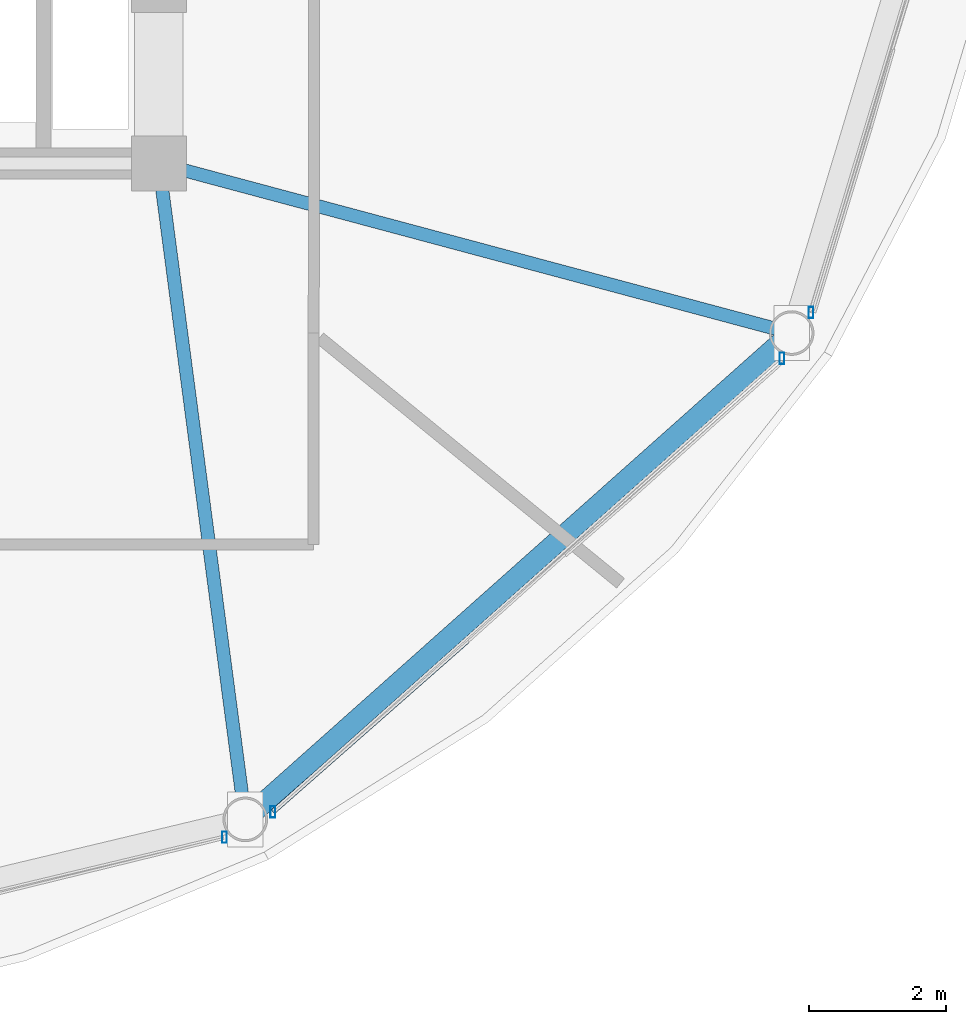
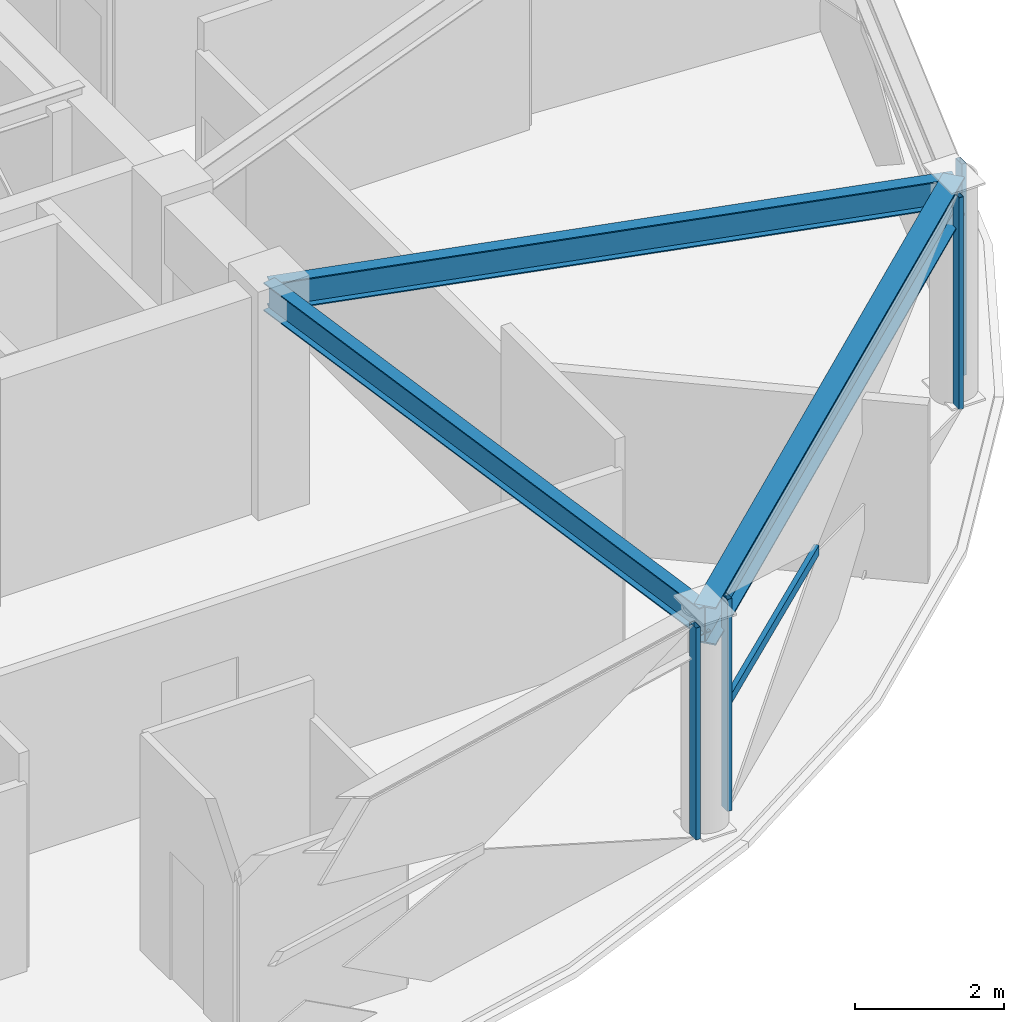
# One storey, part 11 of 28: 5 members, 3 beams, 3 elements without a shape of their own.
"""IFC4 building model written with IfcOpenShell, lengths in metres."""

from ifc_helpers import new_model, si_unit, direction, frame, origin, origin_2d, place, context, subcontext, project, spatial, hollow_rectangle, i_section, extrude, material, layer, layer_set, material_profile, profile_set, type_object, element, aggregate, save


model = new_model("IFC4")

# Units and contexts
model_context = context("Model", 3, precision=1e-05, world=origin(), true_north=direction((0.0, 1.0)))
body_context = subcontext(model_context, "Body", "Model", "MODEL_VIEW")
ifc_project = project(units=[si_unit("LENGTHUNIT", "METRE"), si_unit("AREAUNIT", "SQUARE_METRE"), si_unit("VOLUMEUNIT", "CUBIC_METRE"), si_unit("PLANEANGLEUNIT", "RADIAN"), si_unit("MASSUNIT", "GRAM", prefix="KILO")], contexts=[model_context])

# Site, building, storey
site_placement = place(None, origin())
site = spatial("IfcSite", under=ifc_project, at=site_placement, CompositionType="ELEMENT")
building_placement = place(site_placement, origin())
building = spatial("IfcBuilding", under=site, at=building_placement, Name="Vantalir Tower", CompositionType="ELEMENT")
storey_placement = place(building_placement, frame((0.0, 0.0, 246.14990234375)))
storey = spatial("IfcBuildingStorey", under=building, at=storey_placement, Name="L62", CompositionType="ELEMENT", Elevation=246.14990234375)

# Beams
ifc_material_1 = material(Name="Steel S355", Category="steel")
ifc_material_profile_1 = material_profile(ifc_material_1, i_section(OverallWidth=0.19189453125, OverallDepth=0.462890625, WebThickness=0.010498046875, FlangeThickness=0.017578125, at=origin_2d()), Name="Steel S355")
ifc_profile_set_1 = profile_set([ifc_material_profile_1], Name="Steel S355")
beam_type_1 = type_object("IfcBeamType", Name="BM-RB-457x191", PredefinedType="BEAM", material=ifc_profile_set_1)
beam_1_placement = place(storey_placement, frame((42.35888671875, 8.257080078125, 3.338134765625), z_axis=(-0.130774684438, 0.991412115071, 0.0), x_axis=(-0.991412115071, -0.130774684438, 0.0)))
element("IfcBeam", 1, at=beam_1_placement, inside=storey, type_object=beam_type_1, Name="L62 Radial Floor Beam 11", PredefinedType="BEAM", context=body_context, shape_type="SweptSolid", body=[
    extrude(i_section(OverallWidth=0.19189453125, OverallDepth=0.462890625, WebThickness=0.010498046875, FlangeThickness=0.017578125, at=origin_2d()), origin(), (0.0, 0.0, 1.0), 9.625732421875),
])
beam_2_placement = place(storey_placement, frame((50.30810546875, 15.3330078125, 3.338134765625), z_axis=(-0.965932047749, 0.25879582518, 0.0), x_axis=(-0.25879582518, -0.965932047749, 0.0)))
element("IfcBeam", 2, at=beam_2_placement, inside=storey, type_object=beam_type_1, Name="L62 Radial Floor Beam 12", PredefinedType="BEAM", context=body_context, shape_type="SweptSolid", body=[
    extrude(i_section(OverallWidth=0.19189453125, OverallDepth=0.462890625, WebThickness=0.010498046875, FlangeThickness=0.017578125, at=origin_2d()), origin(), (0.0, 0.0, 1.0), 9.53271484375),
])
ifc_material_2 = material(Name="Steel S460", Category="steel")
ifc_material_profile_2 = material_profile(ifc_material_2, i_section(OverallWidth=0.306884765625, OverallDepth=0.6201171875, WebThickness=0.01416015625, FlangeThickness=0.023681640625, at=origin_2d()), Name="Steel S460")
ifc_profile_set_2 = profile_set([ifc_material_profile_2], Name="Steel S460")
beam_type_2 = type_object("IfcBeamType", Name="BM-RG-610x305", PredefinedType="USERDEFINED", material=ifc_profile_set_2)
beam_3_placement = place(storey_placement, frame((42.35888671875, 8.257080078125, 3.260009765625), z_axis=(0.746944629215, 0.664886246577, 0.0), x_axis=(-0.664886246577, 0.746944629215, 0.0)))
element("IfcBeam", 3, at=beam_3_placement, inside=storey, type_object=beam_type_2, Name="L62 Circumferential Ring Girder 11", ObjectType="GIRDER", PredefinedType="USERDEFINED", context=body_context, shape_type="SweptSolid", body=[
    extrude(i_section(OverallWidth=0.306884765625, OverallDepth=0.6201171875, WebThickness=0.01416015625, FlangeThickness=0.023681640625, at=origin_2d()), origin(), (0.0, 0.0, 1.0), 10.642333984375),
])

# Curtain wall, member
ifc_material_3 = material(Name="Champagne-silver PVDF aluminium and double-silver Low-E glass", Category="aluminium")
ifc_layer = layer(ifc_material_3, 0.2099609375)
ifc_layer_set = layer_set([ifc_layer], Name="Champagne-silver PVDF aluminium and double-silver Low-E glass")
curtain_wall_type = type_object("IfcCurtainWallType", Name="CW-DIAMOND-Z3", PredefinedType="USERDEFINED", material=ifc_layer_set)
curtain_wall_1_placement = place(storey_placement, origin())
curtain_wall_1 = element("IfcCurtainWall", 4, at=curtain_wall_1_placement, inside=storey, type_object=curtain_wall_type, Name="L62 Quilted Pyramid-Diamond Curtain Wall S10", ObjectType="UNITISED CURTAIN WALL", PredefinedType="USERDEFINED")
ifc_material_4 = material(Name="Champagne-silver PVDF aluminium 6063-T6", Category="aluminium")
ifc_material_profile_3 = material_profile(ifc_material_4, hollow_rectangle(XDim=0.070068359375, YDim=0.1650390625, WallThickness=0.00390625, at=origin_2d()), Name="Champagne-silver PVDF aluminium 6063-T6")
ifc_profile_set_3 = profile_set([ifc_material_profile_3], Name="Champagne-silver PVDF aluminium 6063-T6")
member_type_1 = type_object("IfcMemberType", Name="CWM-165x70", PredefinedType="MULLION", material=ifc_profile_set_3)
member_1_placement = place(storey_placement, frame((42.054931640625, 7.998046875, 0.045166015625), z_axis=(0.0, 0.0, 1.0), x_axis=(1.0, 0.0, 0.0)))
member_1 = element("IfcMember", 5, at=member_1_placement, type_object=member_type_1, Name="CW-L62-S10 Mullion 2", PredefinedType="MULLION", context=body_context, shape_type="SweptSolid", body=[
    extrude(hollow_rectangle(XDim=0.070068359375, YDim=0.1650390625, WallThickness=0.00390625, at=origin_2d()), origin(), (0.0, 0.0, 1.0), 3.47998046875),
])
aggregate(curtain_wall_1, [member_1])

# Curtain wall, members
curtain_wall_2_placement = place(storey_placement, origin())
curtain_wall_2 = element("IfcCurtainWall", 6, at=curtain_wall_2_placement, inside=storey, type_object=curtain_wall_type, Name="L62 Quilted Pyramid-Diamond Curtain Wall S11", ObjectType="UNITISED CURTAIN WALL", PredefinedType="USERDEFINED")
member_2_placement = place(storey_placement, frame((42.760009765625, 8.365966796875, 0.045166015625), z_axis=(0.0, 0.0, 1.0), x_axis=(1.0, 0.0, 0.0)))
member_2 = element("IfcMember", 7, at=member_2_placement, type_object=member_type_1, Name="CW-L62-S11 Mullion 1", PredefinedType="MULLION", context=body_context, shape_type="SweptSolid", body=[
    extrude(hollow_rectangle(XDim=0.070068359375, YDim=0.1650390625, WallThickness=0.00390625, at=origin_2d()), origin(), (0.0, 0.0, 1.0), 3.47998046875),
])
member_3_placement = place(storey_placement, frame((50.1669921875, 14.965087890625, 0.045166015625), z_axis=(0.0, 0.0, 1.0), x_axis=(1.0, 0.0, 0.0)))
member_3 = element("IfcMember", 8, at=member_3_placement, type_object=member_type_1, Name="CW-L62-S11 Mullion 2", PredefinedType="MULLION", context=body_context, shape_type="SweptSolid", body=[
    extrude(hollow_rectangle(XDim=0.070068359375, YDim=0.1650390625, WallThickness=0.00390625, at=origin_2d()), origin(), (0.0, 0.0, 1.0), 3.47998046875),
])

# Curtain wall, member
curtain_wall_3_placement = place(storey_placement, origin())
curtain_wall_3 = element("IfcCurtainWall", 9, at=curtain_wall_3_placement, inside=storey, type_object=curtain_wall_type, Name="L62 Quilted Pyramid-Diamond Curtain Wall S12", ObjectType="UNITISED CURTAIN WALL", PredefinedType="USERDEFINED")
member_4_placement = place(storey_placement, frame((50.591064453125, 15.631103515625, 0.045166015625), z_axis=(0.0, 0.0, 1.0), x_axis=(1.0, 0.0, 0.0)))
member_4 = element("IfcMember", 10, at=member_4_placement, type_object=member_type_1, Name="CW-L62-S12 Mullion 1", PredefinedType="MULLION", context=body_context, shape_type="SweptSolid", body=[
    extrude(hollow_rectangle(XDim=0.070068359375, YDim=0.1650390625, WallThickness=0.00390625, at=origin_2d()), origin(), (0.0, 0.0, 1.0), 3.47998046875),
])
aggregate(curtain_wall_3, [member_4])

# Member
ifc_material_profile_4 = material_profile(ifc_material_4, hollow_rectangle(XDim=0.074951171875, YDim=0.159912109375, WallThickness=0.00390625, at=origin_2d()), Name="Champagne-silver PVDF aluminium 6063-T6")
ifc_profile_set_4 = profile_set([ifc_material_profile_4], Name="Champagne-silver PVDF aluminium 6063-T6")
member_type_2 = type_object("IfcMemberType", Name="CWT-160x75", PredefinedType="USERDEFINED", material=ifc_profile_set_4)
member_5_placement = place(storey_placement, frame((42.760009765625, 8.365966796875, 1.78515625), z_axis=(0.75087400777, 0.660445474248, 0.0), x_axis=(-0.660445474248, 0.75087400777, 0.0)))
member_5 = element("IfcMember", 11, at=member_5_placement, type_object=member_type_2, Name="CW-L62-S11 Pyramid Fold Ridge Transom", ObjectType="TRANSOM", PredefinedType="USERDEFINED", context=body_context, shape_type="SweptSolid", body=[
    extrude(hollow_rectangle(XDim=0.074951171875, YDim=0.159912109375, WallThickness=0.00390625, at=origin_2d()), origin(), (0.0, 0.0, 1.0), 3.771728515625),
])

aggregate(curtain_wall_2, [member_2, member_3, member_5])

save(model, "model.ifc")
